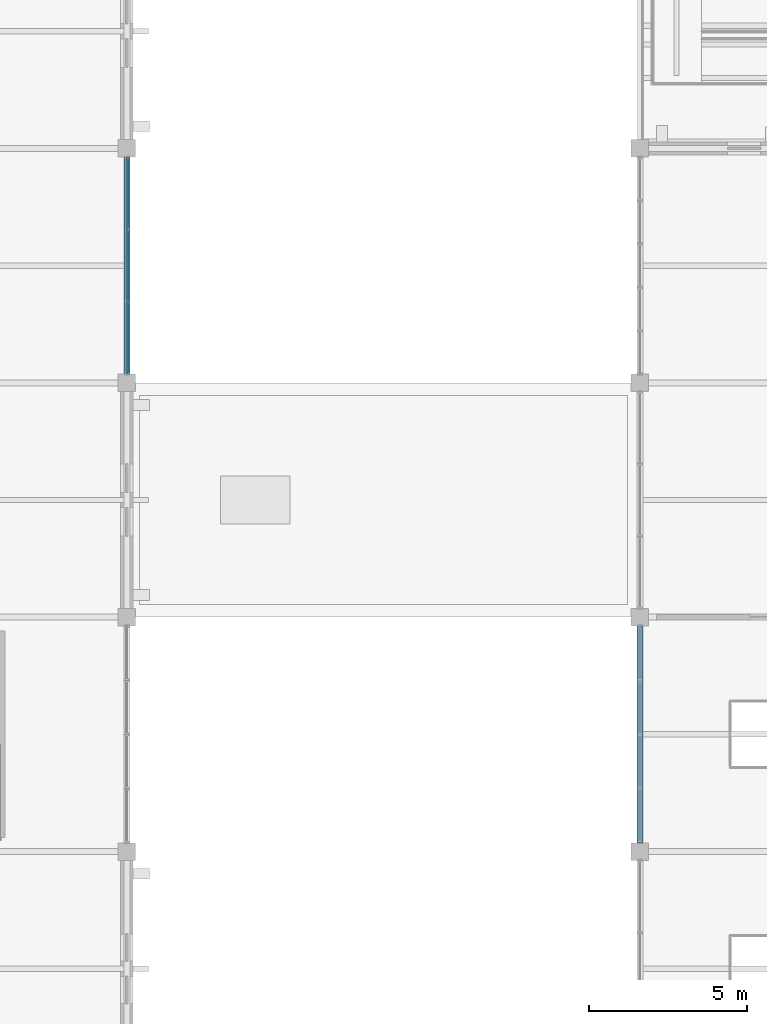
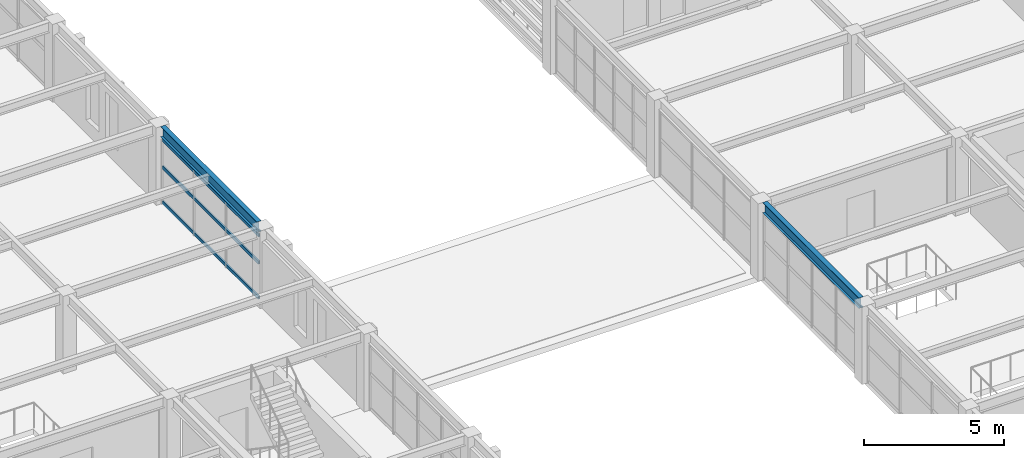
# One storey, part 82 of 121: 3 members, 2 beams, 1 element without a shape of its own.
"""IFC4 building model written with IfcOpenShell, lengths in metres."""

from ifc_helpers import new_model, si_unit, direction, frame, origin, origin_2d, place, context, subcontext, project, spatial, hollow_rectangle, i_section, extrude, material, material_profile, profile_set, type_object, element, aggregate, save


model = new_model("IFC4")

# Units and contexts
model_context = context("Model", 3, precision=1e-05, world=origin(), true_north=direction((0.0, 1.0)))
body_context = subcontext(model_context, "Body", "Model", "MODEL_VIEW")
ifc_project = project(units=[si_unit("LENGTHUNIT", "METRE"), si_unit("AREAUNIT", "SQUARE_METRE"), si_unit("VOLUMEUNIT", "CUBIC_METRE"), si_unit("PLANEANGLEUNIT", "RADIAN"), si_unit("MASSUNIT", "GRAM", prefix="KILO")], contexts=[model_context])

# Site, building, storey
site_placement = place(None, origin())
site = spatial("IfcSite", under=ifc_project, at=site_placement, CompositionType="ELEMENT")
building_placement = place(site_placement, origin())
building = spatial("IfcBuilding", under=site, at=building_placement, Name="Cimatlan Art Gallery", CompositionType="ELEMENT")
storey_placement = place(building_placement, frame((0.0, 0.0, 10.199951171875)))
storey = spatial("IfcBuildingStorey", under=building, at=storey_placement, Name="L02", CompositionType="ELEMENT", Elevation=10.199951171875)

# Beams
ifc_material_1 = material(Name="Steel ASTM A992 Grade 50", Category="steel")
ifc_material_profile_1 = material_profile(ifc_material_1, i_section(OverallWidth=0.19091796875, OverallDepth=0.45703125, WebThickness=0.009033203125, FlangeThickness=0.014404296875, at=origin_2d()), Name="W18X50")
ifc_profile_set_1 = profile_set([ifc_material_profile_1], Name="Steel ASTM A992 Grade 50")
beam_type = type_object("IfcBeamType", Name="BM-STL-W18X50", PredefinedType="BEAM", material=ifc_profile_set_1)
beam_1_placement = place(storey_placement, frame((131.60009765625, 61.175048828125, 3.1416015625), z_axis=(0.0, 1.0, 0.0), x_axis=(-1.0, 0.0, 0.0)))
element("IfcBeam", 1, at=beam_1_placement, inside=storey, type_object=beam_type, Name="BM-Y-L02-16-08", PredefinedType="BEAM", context=body_context, shape_type="SweptSolid", body=[
    extrude(i_section(OverallWidth=0.19091796875, OverallDepth=0.45703125, WebThickness=0.009033203125, FlangeThickness=0.014404296875, at=origin_2d()), origin(), (0.0, 0.0, 1.0), 6.849853515625),
])
beam_2_placement = place(storey_placement, frame((147.800048828125, 46.375, 3.1416015625), z_axis=(0.0, 1.0, 0.0), x_axis=(-1.0, 0.0, 0.0)))
element("IfcBeam", 2, at=beam_2_placement, inside=storey, type_object=beam_type, Name="BM-Y-L02-18-06", PredefinedType="BEAM", context=body_context, shape_type="SweptSolid", body=[
    extrude(i_section(OverallWidth=0.19091796875, OverallDepth=0.45703125, WebThickness=0.009033203125, FlangeThickness=0.014404296875, at=origin_2d()), origin(), (0.0, 0.0, 1.0), 6.85009765625),
])

# Curtain wall, members
ifc_material_2 = material(Name="Anodised bronze unitised curtain wall")
curtain_wall_type = type_object("IfcCurtainWallType", Name="CW-V-06842X02823-B3", PredefinedType="NOTDEFINED", material=ifc_material_2)
curtain_wall_placement = place(storey_placement, origin())
curtain_wall = element("IfcCurtainWall", 3, at=curtain_wall_placement, inside=storey, type_object=curtain_wall_type, Name="CW-L02-15-08-E", PredefinedType="NOTDEFINED")
ifc_material_3 = material(Name="Anodised bronze aluminium 6063-T6", Category="aluminium")
ifc_material_profile_2 = material_profile(ifc_material_3, hollow_rectangle(XDim=0.06494140625, YDim=0.139892578125, WallThickness=0.00390625, at=origin_2d()), Name="ALU65X140X4")
ifc_profile_set_2 = profile_set([ifc_material_profile_2], Name="Anodised bronze aluminium 6063-T6")
member_type = type_object("IfcMemberType", Name="CW-TRN-140", PredefinedType="USERDEFINED", material=ifc_profile_set_2)
member_1_placement = place(storey_placement, frame((131.60009765625, 68.02099609375, 0.06005859375), z_axis=(0.0, -1.0, 0.0), x_axis=(1.0, 0.0, 0.0)))
member_1 = element("IfcMember", 4, at=member_1_placement, type_object=member_type, Name="CW-L02-15-08-E-T1", ObjectType="TRANSOM", PredefinedType="USERDEFINED", context=body_context, shape_type="SweptSolid", body=[
    extrude(hollow_rectangle(XDim=0.06494140625, YDim=0.139892578125, WallThickness=0.00390625, at=origin_2d()), origin(), (0.0, 0.0, 1.0), 6.842041015625),
])
member_2_placement = place(storey_placement, frame((131.60009765625, 68.02099609375, 1.5810546875), z_axis=(0.0, -1.0, 0.0), x_axis=(1.0, 0.0, 0.0)))
member_2 = element("IfcMember", 5, at=member_2_placement, type_object=member_type, Name="CW-L02-15-08-E-T2", ObjectType="TRANSOM", PredefinedType="USERDEFINED", context=body_context, shape_type="SweptSolid", body=[
    extrude(hollow_rectangle(XDim=0.06494140625, YDim=0.139892578125, WallThickness=0.00390625, at=origin_2d()), origin(), (0.0, 0.0, 1.0), 6.842041015625),
])
member_3_placement = place(storey_placement, frame((131.60009765625, 68.02099609375, 2.762939453125), z_axis=(0.0, -1.0, 0.0), x_axis=(1.0, 0.0, 0.0)))
member_3 = element("IfcMember", 6, at=member_3_placement, type_object=member_type, Name="CW-L02-15-08-E-T3", ObjectType="TRANSOM", PredefinedType="USERDEFINED", context=body_context, shape_type="SweptSolid", body=[
    extrude(hollow_rectangle(XDim=0.06494140625, YDim=0.139892578125, WallThickness=0.00390625, at=origin_2d()), origin(), (0.0, 0.0, 1.0), 6.842041015625),
])
aggregate(curtain_wall, [member_1, member_2, member_3])

save(model, "model.ifc")
